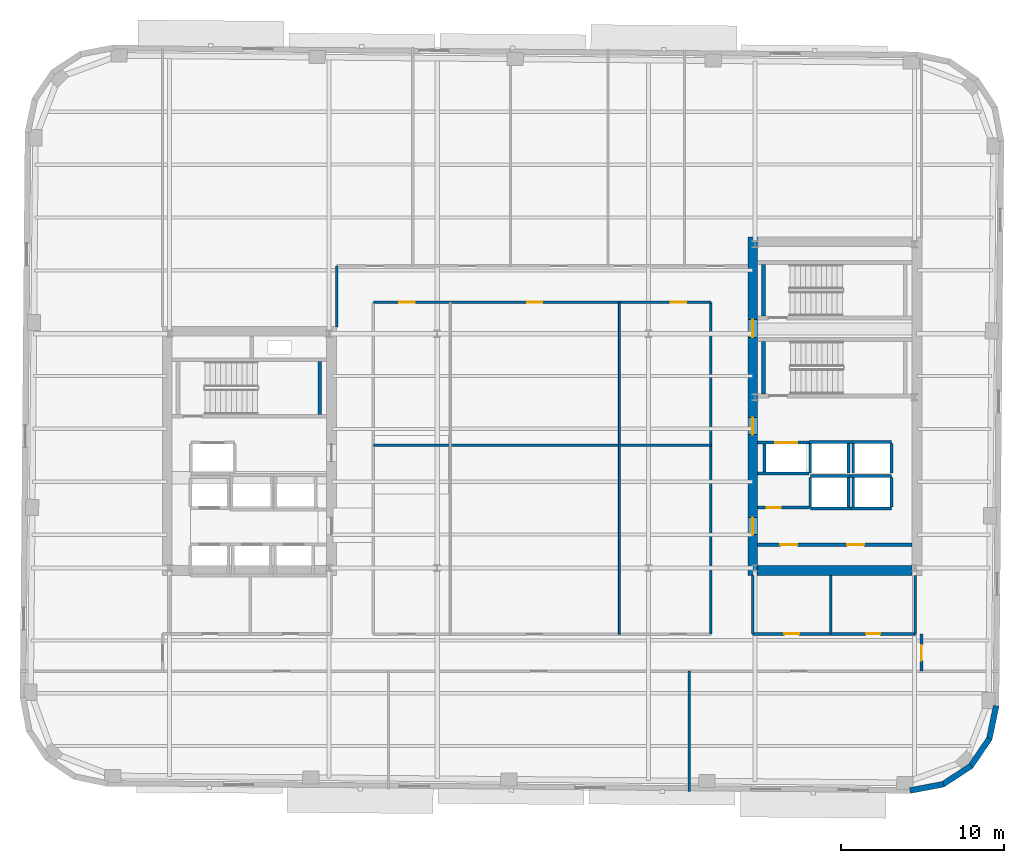
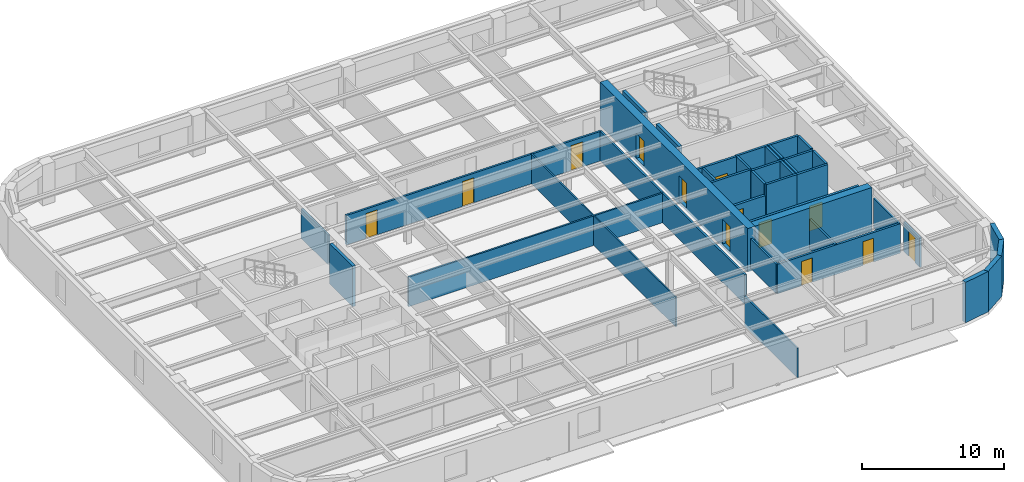
# One storey, part 5 of 11: 39 walls, 13 doors, 13 openings.
"""IFC4 building model written with IfcOpenShell, lengths in metres."""

from ifc_helpers import new_model, si_unit, direction, frame, frame_2d, origin, place, context, subcontext, project, spatial, rectangle, extrude, material, layer, layer_set, type_object, element, fill, save


model = new_model("IFC4")

# Units and contexts
model_context = context("Model", 3, precision=1e-05, world=origin(), true_north=direction((0.0, 1.0)))
body_context = subcontext(model_context, "Body", "Model", "MODEL_VIEW")
ifc_project = project(units=[si_unit("LENGTHUNIT", "METRE"), si_unit("AREAUNIT", "SQUARE_METRE"), si_unit("VOLUMEUNIT", "CUBIC_METRE"), si_unit("PLANEANGLEUNIT", "RADIAN"), si_unit("MASSUNIT", "GRAM", prefix="KILO")], contexts=[model_context])

# Site, building, storey
site_placement = place(None, origin())
site = spatial("IfcSite", under=ifc_project, at=site_placement, CompositionType="ELEMENT")
building_placement = place(site_placement, origin())
building = spatial("IfcBuilding", under=site, at=building_placement, Name="Kolvaren Arena Tower", CompositionType="ELEMENT")
storey_placement = place(building_placement, frame((0.0, 0.0, 169.699951171875)))
storey = spatial("IfcBuildingStorey", under=building, at=storey_placement, Name="L40", CompositionType="ELEMENT", Elevation=169.699951171875)

# Wall
ifc_material_1 = material(Name="Gypsum board acoustic assembly", Category="gypsum")
ifc_layer_1 = layer(ifc_material_1, 0.159912109375)
ifc_layer_set_1 = layer_set([ifc_layer_1], Name="Gypsum board acoustic assembly")
wall_type_1 = type_object("IfcWallType", Name="CORR-160", PredefinedType="PARTITIONING", material=ifc_layer_set_1)
wall_1_placement = place(storey_placement, frame((24.820068359375, 34.25, 0.0), z_axis=(0.0, 0.0, 1.0), x_axis=(0.0, 1.0, 0.0)))
element("IfcWall", 1, at=wall_1_placement, inside=storey, type_object=wall_type_1, Name="Interior Partition Wall (L40)", PredefinedType="PARTITIONING", context=body_context, shape_type="SweptSolid", body=[
    extrude(rectangle(XDim=3.77001953125, YDim=0.159912109375, at=frame_2d((1.885009765625, 0.0))), origin(), (0.0, 0.0, 1.0), 2.5400390625),
])

# Wall, openings, doors
wall_2_placement = place(storey_placement, frame((27.080078125, 35.780029296875, 0.0), z_axis=(0.0, 0.0, 1.0), x_axis=(1.0, 0.0, 0.0)))
wall_2 = element("IfcWall", 2, at=wall_2_placement, inside=storey, type_object=wall_type_1, Name="Interior Partition Wall (L40)", PredefinedType="PARTITIONING", context=body_context, shape_type="SweptSolid", body=[
    extrude(rectangle(XDim=20.739990234375, YDim=0.159912109375, at=frame_2d((10.3701171875, 0.0))), origin(), (0.0, 0.0, 1.0), 2.5400390625),
])
opening_1_placement = place(wall_2_placement, frame((1.594970703125, 0.0, 0.0)))
opening_1 = element("IfcOpeningElement", 3, at=opening_1_placement, cuts=wall_2, Name="Opening D05", PredefinedType="OPENING", context=body_context, shape_type="SweptSolid", body=[
    extrude(rectangle(XDim=0.949951171875, YDim=2.14990234375, at=frame_2d((0.47509765625, 1.074951171875))), frame((0.0, 0.08984375, 0.0), z_axis=(0.0, -1.0, 0.0), x_axis=(1.0, 0.0, 0.0)), (0.0, 0.0, 1.0), 0.179931640625),
])
opening_2_placement = place(wall_2_placement, frame((9.445068359375, 0.0, 0.0)))
opening_2 = element("IfcOpeningElement", 4, at=opening_2_placement, cuts=wall_2, Name="Opening D05", PredefinedType="OPENING", context=body_context, shape_type="SweptSolid", body=[
    extrude(rectangle(XDim=0.949951171875, YDim=2.14990234375, at=frame_2d((0.47509765625, 1.074951171875))), frame((0.0, 0.08984375, 0.0), z_axis=(0.0, -1.0, 0.0), x_axis=(1.0, 0.0, 0.0)), (0.0, 0.0, 1.0), 0.179931640625),
])
opening_3_placement = place(wall_2_placement, frame((18.294921875, 0.0, 0.0)))
opening_3 = element("IfcOpeningElement", 5, at=opening_3_placement, cuts=wall_2, Name="Opening D05", PredefinedType="OPENING", context=body_context, shape_type="SweptSolid", body=[
    extrude(rectangle(XDim=0.949951171875, YDim=2.14990234375, at=frame_2d((0.47509765625, 1.074951171875))), frame((0.0, 0.08984375, 0.0), z_axis=(0.0, -1.0, 0.0), x_axis=(1.0, 0.0, 0.0)), (0.0, 0.0, 1.0), 0.179931640625),
])
ifc_material_2 = material(Name="Solid-core oak acoustic office door", Category="wood")
door_type_1 = type_object("IfcDoorType", Name="DOOR-OF-095", OperationType="NOTDEFINED", PredefinedType="DOOR", material=ifc_material_2)
door_1_placement = place(opening_1_placement, origin())
door_1 = element("IfcDoor", 6, at=door_1_placement, inside=storey, type_object=door_type_1, Name="Open Plan Office Door (L40)", OperationType="SINGLE_SWING_RIGHT", OverallHeight=2.14990234375, OverallWidth=0.949951171875, PredefinedType="DOOR", context=body_context, shape_type="SweptSolid", body=[
    extrude(rectangle(XDim=0.949951171875, YDim=2.14990234375, at=frame_2d((0.47509765625, 1.074951171875))), frame((0.0, 0.02490234375, 0.0), z_axis=(0.0, -1.0, 0.0), x_axis=(1.0, 0.0, 0.0)), (0.0, 0.0, 1.0), 0.050048828125),
])
fill(opening_1, door_1)
door_2_placement = place(opening_2_placement, origin())
door_2 = element("IfcDoor", 7, at=door_2_placement, inside=storey, type_object=door_type_1, Name="Boardroom Door (L40)", OperationType="SINGLE_SWING_RIGHT", OverallHeight=2.14990234375, OverallWidth=0.949951171875, PredefinedType="DOOR", context=body_context, shape_type="SweptSolid", body=[
    extrude(rectangle(XDim=0.949951171875, YDim=2.14990234375, at=frame_2d((0.47509765625, 1.074951171875))), frame((0.0, 0.02490234375, 0.0), z_axis=(0.0, -1.0, 0.0), x_axis=(1.0, 0.0, 0.0)), (0.0, 0.0, 1.0), 0.050048828125),
])
fill(opening_2, door_2)
door_3_placement = place(opening_3_placement, origin())
door_3 = element("IfcDoor", 8, at=door_3_placement, inside=storey, type_object=door_type_1, Name="Tenant Reception Area Door (L40)", OperationType="SINGLE_SWING_RIGHT", OverallHeight=2.14990234375, OverallWidth=0.949951171875, PredefinedType="DOOR", context=body_context, shape_type="SweptSolid", body=[
    extrude(rectangle(XDim=0.949951171875, YDim=2.14990234375, at=frame_2d((0.47509765625, 1.074951171875))), frame((0.0, 0.02490234375, 0.0), z_axis=(0.0, -1.0, 0.0), x_axis=(1.0, 0.0, 0.0)), (0.0, 0.0, 1.0), 0.050048828125),
])
fill(opening_3, door_3)

# Wall
wall_3_placement = place(storey_placement, frame((47.820068359375, 15.3798828125, 0.0), z_axis=(0.0, 0.0, 1.0), x_axis=(0.0, 1.0, 0.0)))
element("IfcWall", 9, at=wall_3_placement, inside=storey, type_object=wall_type_1, Name="Interior Partition Wall (L40)", PredefinedType="PARTITIONING", context=body_context, shape_type="SweptSolid", body=[
    extrude(rectangle(XDim=20.400146484375, YDim=0.159912109375, at=frame_2d((10.2001953125, 0.0))), origin(), (0.0, 0.0, 1.0), 2.5400390625),
])

# Wall, opening, door
wall_4_placement = place(storey_placement, frame((60.780029296875, 13.10009765625, 0.0), z_axis=(0.0, 0.0, 1.0), x_axis=(0.0, 1.0, 0.0)))
wall_4 = element("IfcWall", 10, at=wall_4_placement, inside=storey, type_object=wall_type_1, Name="Interior Partition Wall (L40)", PredefinedType="PARTITIONING", context=body_context, shape_type="SweptSolid", body=[
    extrude(rectangle(XDim=2.2998046875, YDim=0.159912109375, at=frame_2d((1.14990234375, 0.0))), origin(), (0.0, 0.0, 1.0), 2.5400390625),
])
opening_4_placement = place(wall_4_placement, frame((0.64990234375, 0.0, 0.0)))
opening_4 = element("IfcOpeningElement", 11, at=opening_4_placement, cuts=wall_4, Name="Opening D05", PredefinedType="OPENING", context=body_context, shape_type="SweptSolid", body=[
    extrude(rectangle(XDim=0.949951171875, YDim=2.14990234375, at=frame_2d((0.47509765625, 1.074951171875))), frame((0.0, 0.08984375, 0.0), z_axis=(0.0, -1.0, 0.0), x_axis=(1.0, 0.0, 0.0)), (0.0, 0.0, 1.0), 0.179931640625),
])
door_4_placement = place(opening_4_placement, origin())
door_4 = element("IfcDoor", 12, at=door_4_placement, inside=storey, type_object=door_type_1, Name="East Wing Studio Door (L40)", OperationType="SINGLE_SWING_RIGHT", OverallHeight=2.14990234375, OverallWidth=0.949951171875, PredefinedType="DOOR", context=body_context, shape_type="SweptSolid", body=[
    extrude(rectangle(XDim=0.949951171875, YDim=2.14990234375, at=frame_2d((0.47509765625, 1.074951171875))), frame((0.0, 0.02490234375, 0.0), z_axis=(0.0, -1.0, 0.0), x_axis=(1.0, 0.0, 0.0)), (0.0, 0.0, 1.0), 0.050048828125),
])
fill(opening_4, door_4)

# Wall, openings, doors
ifc_material_3 = material(Name="Concrete 60 MPa", Category="concrete")
ifc_layer_2 = layer(ifc_material_3, 0.60009765625)
ifc_layer_set_2 = layer_set([ifc_layer_2], Name="Concrete 60 MPa")
wall_type_2 = type_object("IfcWallType", Name="CWALL-600", PredefinedType="SHEAR", material=ifc_layer_set_2)
wall_5_placement = place(storey_placement, frame((50.39990234375, 19.0, -0.27001953125), z_axis=(0.0, 0.0, 1.0), x_axis=(0.0, 1.0, 0.0)))
wall_5 = element("IfcWall", 13, at=wall_5_placement, inside=storey, type_object=wall_type_2, Name="Core Shear Wall EC-WEST (L40)", PredefinedType="SHEAR", context=body_context, shape_type="SweptSolid", body=[
    extrude(rectangle(XDim=20.800048828125, YDim=0.60009765625, at=frame_2d((10.39990234375, 0.0))), origin(), (0.0, 0.0, 1.0), 3.75),
])
opening_5_placement = place(wall_5_placement, frame((2.5, 0.0, 0.27001953125)))
opening_5 = element("IfcOpeningElement", 14, at=opening_5_placement, cuts=wall_5, Name="Opening D04", PredefinedType="OPENING", context=body_context, shape_type="SweptSolid", body=[
    extrude(rectangle(XDim=1.050048828125, YDim=2.14990234375, at=frame_2d((0.52490234375, 1.074951171875))), frame((0.0, 0.31005859375, 0.0), z_axis=(0.0, -1.0, 0.0), x_axis=(1.0, 0.0, 0.0)), (0.0, 0.0, 1.0), 0.6201171875),
])
opening_6_placement = place(wall_5_placement, frame((8.64990234375, 0.0, 0.27001953125)))
opening_6 = element("IfcOpeningElement", 15, at=opening_6_placement, cuts=wall_5, Name="Opening D04", PredefinedType="OPENING", context=body_context, shape_type="SweptSolid", body=[
    extrude(rectangle(XDim=1.050048828125, YDim=2.14990234375, at=frame_2d((0.52490234375, 1.074951171875))), frame((0.0, 0.31005859375, 0.0), z_axis=(0.0, -1.0, 0.0), x_axis=(1.0, 0.0, 0.0)), (0.0, 0.0, 1.0), 0.6201171875),
])
opening_7_placement = place(wall_5_placement, frame((14.6201171875, 0.0, 0.27001953125)))
opening_7 = element("IfcOpeningElement", 16, at=opening_7_placement, cuts=wall_5, Name="Opening D03", PredefinedType="OPENING", context=body_context, shape_type="SweptSolid", body=[
    extrude(rectangle(XDim=1.10009765625, YDim=2.14990234375, at=frame_2d((0.550048828125, 1.074951171875))), frame((0.0, 0.31005859375, 0.0), z_axis=(0.0, -1.0, 0.0), x_axis=(1.0, 0.0, 0.0)), (0.0, 0.0, 1.0), 0.6201171875),
])
ifc_material_4 = material(Name="Fire-rated steel lobby door", Category="steel")
door_type_2 = type_object("IfcDoorType", Name="DOOR-FF-105", OperationType="NOTDEFINED", PredefinedType="DOOR", material=ifc_material_4)
door_5_placement = place(opening_5_placement, origin())
door_5 = element("IfcDoor", 17, at=door_5_placement, inside=storey, type_object=door_type_2, Name="East Lift Lobby Fire Door (L40)", OperationType="SINGLE_SWING_RIGHT", OverallHeight=2.14990234375, OverallWidth=1.050048828125, PredefinedType="DOOR", context=body_context, shape_type="SweptSolid", body=[
    extrude(rectangle(XDim=1.050048828125, YDim=2.14990234375, at=frame_2d((0.52490234375, 1.074951171875))), frame((0.0, 0.02490234375, 0.0), z_axis=(0.0, -1.0, 0.0), x_axis=(1.0, 0.0, 0.0)), (0.0, 0.0, 1.0), 0.050048828125),
])
fill(opening_5, door_5)
door_6_placement = place(opening_6_placement, origin())
door_6 = element("IfcDoor", 18, at=door_6_placement, inside=storey, type_object=door_type_2, Name="East Firefighter Vestibule Door (L40)", OperationType="SINGLE_SWING_LEFT", OverallHeight=2.14990234375, OverallWidth=1.050048828125, PredefinedType="DOOR", context=body_context, shape_type="SweptSolid", body=[
    extrude(rectangle(XDim=1.050048828125, YDim=2.14990234375, at=frame_2d((0.52490234375, 1.074951171875))), frame((0.0, 0.02490234375, 0.0), z_axis=(0.0, -1.0, 0.0), x_axis=(1.0, 0.0, 0.0)), (0.0, 0.0, 1.0), 0.050048828125),
])
fill(opening_6, door_6)
ifc_material_5 = material(Name="Fire-rated steel exit stair door", Category="steel")
door_type_3 = type_object("IfcDoorType", Name="DOOR-ST-110", OperationType="NOTDEFINED", PredefinedType="DOOR", material=ifc_material_5)
door_7_placement = place(opening_7_placement, origin())
door_7 = element("IfcDoor", 19, at=door_7_placement, inside=storey, type_object=door_type_3, Name="Stair ST-E2 Vestibule Fire Door (L40)", OperationType="SINGLE_SWING_LEFT", OverallHeight=2.14990234375, OverallWidth=1.10009765625, PredefinedType="DOOR", context=body_context, shape_type="SweptSolid", body=[
    extrude(rectangle(XDim=1.10009765625, YDim=2.14990234375, at=frame_2d((0.550048828125, 1.074951171875))), frame((0.0, 0.02490234375, 0.0), z_axis=(0.0, -1.0, 0.0), x_axis=(1.0, 0.0, 0.0)), (0.0, 0.0, 1.0), 0.050048828125),
])
fill(opening_7, door_7)

# Walls
wall_6_placement = place(storey_placement, frame((50.699951171875, 19.300048828125, -0.27001953125), z_axis=(0.0, 0.0, 1.0), x_axis=(1.0, 0.0, 0.0)))
element("IfcWall", 20, at=wall_6_placement, inside=storey, type_object=wall_type_2, Name="Core Shear Wall EC-SOUTH (L40)", PredefinedType="SHEAR", context=body_context, shape_type="SweptSolid", body=[
    extrude(rectangle(XDim=9.5, YDim=0.60009765625, at=frame_2d((4.75, 0.0))), origin(), (0.0, 0.0, 1.0), 3.75),
])
ifc_material_6 = material(Name="Precast concrete C50/60", Category="concrete")
ifc_layer_3 = layer(ifc_material_6, 0.360107421875)
ifc_layer_set_3 = layer_set([ifc_layer_3], Name="Precast concrete C50/60")
wall_type_3 = type_object("IfcWallType", Name="EXT-PIER2", PredefinedType="SOLIDWALL", material=ifc_layer_set_3)
wall_7_placement = place(storey_placement, frame((62.136474609375, 6.155029296875, 0.0), z_axis=(0.0, 0.0, 1.0), x_axis=(-0.98246713518, -0.186435855703, 0.0)))
element("IfcWall", 21, at=wall_7_placement, inside=storey, type_object=wall_type_3, Name="Exterior Precast Masonry-Frame Wall (L40)", PredefinedType="SOLIDWALL", context=body_context, shape_type="SweptSolid", body=[
    extrude(rectangle(XDim=2.10693359375, YDim=0.360107421875, at=frame_2d((1.053466796875, 0.0))), origin(), (0.0, 0.0, 1.0), 3.47998046875),
])
wall_8_placement = place(storey_placement, frame((63.83349609375, 7.2841796875, 0.0), z_axis=(0.0, 0.0, 1.0), x_axis=(-0.836303589916, -0.548266637224, 0.0)))
element("IfcWall", 22, at=wall_8_placement, inside=storey, type_object=wall_type_3, Name="Exterior Precast Masonry-Frame Wall (L40)", PredefinedType="SOLIDWALL", context=body_context, shape_type="SweptSolid", body=[
    extrude(rectangle(XDim=2.107177734375, YDim=0.360107421875, at=frame_2d((1.0537109375, 0.0))), origin(), (0.0, 0.0, 1.0), 3.47998046875),
])
for number, where, z_axis, x_axis, name in (
    (23, (64.968994140625, 8.9765625, 0.0), (0.0, 0.0, 1.0), (-0.56277581689, -0.826609569219, 0.0), "Exterior Precast Masonry-Frame Wall (L40)"),
    (24, (65.370849609375, 10.974609375, 0.0), (0.0, 0.0, 1.0), (-0.203709000552, -0.979031482177, 0.0), "Exterior Precast Masonry-Frame Wall (L40)"),
):
    element("IfcWall", number, at=place(storey_placement, frame(where, z_axis=z_axis, x_axis=x_axis)), inside=storey, type_object=wall_type_3, Name=name, PredefinedType="SOLIDWALL", context=body_context, shape_type="SweptSolid", body=[
        extrude(rectangle(XDim=2.10693359375, YDim=0.360107421875, at=frame_2d((1.053466796875, 0.0))), origin(), (0.0, 0.0, 1.0), 3.47998046875),
    ])

# Wall, openings, doors
ifc_material_7 = material(Name="Concrete 40 MPa", Category="concrete")
ifc_layer_4 = layer(ifc_material_7, 0.199951171875)
ifc_layer_set_4 = layer_set([ifc_layer_4], Name="Concrete 40 MPa")
wall_type_4 = type_object("IfcWallType", Name="LOBBY-200", PredefinedType="SOLIDWALL", material=ifc_layer_set_4)
wall_9_placement = place(storey_placement, frame((50.699951171875, 20.8798828125, 0.0), z_axis=(0.0, 0.0, 1.0), x_axis=(1.0, 0.0, 0.0)))
wall_9 = element("IfcWall", 25, at=wall_9_placement, inside=storey, type_object=wall_type_4, Name="Core Shaft Wall (L40)", PredefinedType="SOLIDWALL", context=body_context, shape_type="SweptSolid", body=[
    extrude(rectangle(XDim=9.5, YDim=0.199951171875, at=frame_2d((4.75, 0.0))), origin(), (0.0, 0.0, 1.0), 2.5400390625),
])
opening_8_placement = place(wall_9_placement, frame((1.39990234375, 0.0, 0.0)))
opening_8 = element("IfcOpeningElement", 26, at=opening_8_placement, cuts=wall_9, Name="Opening D04", PredefinedType="OPENING", context=body_context, shape_type="SweptSolid", body=[
    extrude(rectangle(XDim=1.050048828125, YDim=2.14990234375, at=frame_2d((0.52490234375, 1.074951171875))), frame((0.0, 0.10986328125, 0.0), z_axis=(0.0, -1.0, 0.0), x_axis=(1.0, 0.0, 0.0)), (0.0, 0.0, 1.0), 0.219970703125),
])
opening_9_placement = place(wall_9_placement, frame((5.5, 0.0, 0.0)))
opening_9 = element("IfcOpeningElement", 27, at=opening_9_placement, cuts=wall_9, Name="Opening D04", PredefinedType="OPENING", context=body_context, shape_type="SweptSolid", body=[
    extrude(rectangle(XDim=1.050048828125, YDim=2.14990234375, at=frame_2d((0.52490234375, 1.074951171875))), frame((0.0, 0.10986328125, 0.0), z_axis=(0.0, -1.0, 0.0), x_axis=(1.0, 0.0, 0.0)), (0.0, 0.0, 1.0), 0.219970703125),
])
door_8_placement = place(opening_8_placement, origin())
door_8 = element("IfcDoor", 28, at=door_8_placement, inside=storey, type_object=door_type_2, Name="East Telecom Room Fire Door (L40)", OperationType="SINGLE_SWING_RIGHT", OverallHeight=2.14990234375, OverallWidth=1.050048828125, PredefinedType="DOOR", context=body_context, shape_type="SweptSolid", body=[
    extrude(rectangle(XDim=1.050048828125, YDim=2.14990234375, at=frame_2d((0.52490234375, 1.074951171875))), frame((0.0, 0.02490234375, 0.0), z_axis=(0.0, -1.0, 0.0), x_axis=(1.0, 0.0, 0.0)), (0.0, 0.0, 1.0), 0.050048828125),
])
fill(opening_8, door_8)
door_9_placement = place(opening_9_placement, origin())
door_9 = element("IfcDoor", 29, at=door_9_placement, inside=storey, type_object=door_type_2, Name="East Records Room Fire Door (L40)", OperationType="SINGLE_SWING_LEFT", OverallHeight=2.14990234375, OverallWidth=1.050048828125, PredefinedType="DOOR", context=body_context, shape_type="SweptSolid", body=[
    extrude(rectangle(XDim=1.050048828125, YDim=2.14990234375, at=frame_2d((0.52490234375, 1.074951171875))), frame((0.0, 0.02490234375, 0.0), z_axis=(0.0, -1.0, 0.0), x_axis=(1.0, 0.0, 0.0)), (0.0, 0.0, 1.0), 0.050048828125),
])
fill(opening_9, door_9)

# Wall, opening, door
wall_10_placement = place(storey_placement, frame((50.699951171875, 23.159912109375, 0.0), z_axis=(0.0, 0.0, 1.0), x_axis=(1.0, 0.0, 0.0)))
wall_10 = element("IfcWall", 30, at=wall_10_placement, inside=storey, type_object=wall_type_4, Name="Core Shaft Wall (L40)", PredefinedType="SOLIDWALL", context=body_context, shape_type="SweptSolid", body=[
    extrude(rectangle(XDim=3.179931640625, YDim=0.199951171875, at=frame_2d((1.58984375, 0.0))), origin(), (0.0, 0.0, 1.0), 2.5400390625),
])
opening_10_placement = place(wall_10_placement, frame((0.550048828125, 0.0, 0.0)))
opening_10 = element("IfcOpeningElement", 31, at=opening_10_placement, cuts=wall_10, Name="Opening D09", PredefinedType="OPENING", context=body_context, shape_type="SweptSolid", body=[
    extrude(rectangle(XDim=0.860107421875, YDim=2.050048828125, at=frame_2d((0.43017578125, 1.02490234375))), frame((0.0, 0.10986328125, 0.0), z_axis=(0.0, -1.0, 0.0), x_axis=(1.0, 0.0, 0.0)), (0.0, 0.0, 1.0), 0.219970703125),
])
ifc_material_8 = material(Name="Fire-rated steel riser access door", Category="steel")
door_type_4 = type_object("IfcDoorType", Name="DOOR-RS-086", OperationType="NOTDEFINED", PredefinedType="DOOR", material=ifc_material_8)
door_10_placement = place(opening_10_placement, origin())
door_10 = element("IfcDoor", 32, at=door_10_placement, inside=storey, type_object=door_type_4, Name="East AV Riser Closet Door (L40)", OperationType="SINGLE_SWING_LEFT", OverallHeight=2.050048828125, OverallWidth=0.860107421875, PredefinedType="DOOR", context=body_context, shape_type="SweptSolid", body=[
    extrude(rectangle(XDim=0.860107421875, YDim=2.050048828125, at=frame_2d((0.43017578125, 1.02490234375))), frame((0.0, 0.02490234375, 0.0), z_axis=(0.0, -1.0, 0.0), x_axis=(1.0, 0.0, 0.0)), (0.0, 0.0, 1.0), 0.050048828125),
])
fill(opening_10, door_10)

# Walls
ifc_material_9 = material(Name="Gypsum board partition assembly", Category="gypsum")
ifc_layer_5 = layer(ifc_material_9, 0.114990234375)
ifc_layer_set_5 = layer_set([ifc_layer_5], Name="Gypsum board partition assembly")
wall_type_5 = type_object("IfcWallType", Name="PART-115", PredefinedType="PARTITIONING", material=ifc_layer_set_5)
wall_11_placement = place(storey_placement, frame((42.199951171875, 15.3798828125, 0.0), z_axis=(0.0, 0.0, 1.0), x_axis=(0.0, 1.0, 0.0)))
element("IfcWall", 33, at=wall_11_placement, inside=storey, type_object=wall_type_5, Name="Interior Partition Wall (L40)", PredefinedType="PARTITIONING", context=body_context, shape_type="SweptSolid", body=[
    extrude(rectangle(XDim=20.400146484375, YDim=0.114990234375, at=frame_2d((10.2001953125, 0.0))), origin(), (0.0, 0.0, 1.0), 2.5400390625),
])
ifc_layer_6 = layer(ifc_material_9, 0.135009765625)
ifc_layer_set_6 = layer_set([ifc_layer_6], Name="Gypsum board partition assembly")
wall_type_6 = type_object("IfcWallType", Name="PART-135", PredefinedType="PARTITIONING", material=ifc_layer_set_6)
wall_12_placement = place(storey_placement, frame((46.5, 5.7041015625, 0.0), z_axis=(0.0, 0.0, 1.0), x_axis=(0.0, 1.0, 0.0)))
element("IfcWall", 34, at=wall_12_placement, inside=storey, type_object=wall_type_6, Name="Interior Partition Wall (L40)", PredefinedType="PARTITIONING", context=body_context, shape_type="SweptSolid", body=[
    extrude(rectangle(XDim=7.39599609375, YDim=0.135009765625, at=frame_2d((3.697998046875, 0.0))), origin(), (0.0, 0.0, 1.0), 2.5400390625),
])
wall_13_placement = place(storey_placement, frame((27.080078125, 27.0, 0.0), z_axis=(0.0, 0.0, 1.0), x_axis=(1.0, 0.0, 0.0)))
element("IfcWall", 35, at=wall_13_placement, inside=storey, type_object=wall_type_6, Name="Interior Partition Wall (L40)", PredefinedType="PARTITIONING", context=body_context, shape_type="SweptSolid", body=[
    extrude(rectangle(XDim=20.739990234375, YDim=0.135009765625, at=frame_2d((10.3701171875, 0.0))), origin(), (0.0, 0.0, 1.0), 2.5400390625),
])
ifc_material_10 = material(Name="Concrete 45 MPa", Category="concrete")
ifc_layer_7 = layer(ifc_material_10, 0.25)
ifc_layer_set_7 = layer_set([ifc_layer_7], Name="Concrete 45 MPa")
wall_type_7 = type_object("IfcWallType", Name="SHAFT-250", PredefinedType="SOLIDWALL", material=ifc_layer_set_7)
for number, where, z_axis, x_axis, name in (
    (36, (23.780029296875, 28.89990234375, 0.0), (0.0, 0.0, 1.0), (0.0, 1.0, 0.0), "Core Shaft Wall (L40)"),
    (37, (51.06005859375, 30.14990234375, 0.0), (0.0, 0.0, 1.0), (0.0, 1.0, 0.0), "Core Shaft Wall (L40)"),
):
    element("IfcWall", number, at=place(storey_placement, frame(where, z_axis=z_axis, x_axis=x_axis)), inside=storey, type_object=wall_type_7, Name=name, PredefinedType="SOLIDWALL", context=body_context, shape_type="SweptSolid", body=[
        extrude(rectangle(XDim=3.22998046875, YDim=0.239990234375, at=frame_2d((1.614990234375, 0.0))), origin(), (0.0, 0.0, 1.0), 3.47998046875),
    ])
wall_14_placement = place(storey_placement, frame((51.06005859375, 34.949951171875, 0.0), z_axis=(0.0, 0.0, 1.0), x_axis=(0.0, 1.0, 0.0)))
element("IfcWall", 38, at=wall_14_placement, inside=storey, type_object=wall_type_7, Name="Core Shaft Wall (L40)", PredefinedType="SOLIDWALL", context=body_context, shape_type="SweptSolid", body=[
    extrude(rectangle(XDim=3.150146484375, YDim=0.239990234375, at=frame_2d((1.5751953125, 0.0))), origin(), (0.0, 0.0, 1.0), 3.47998046875),
])
for number, where, z_axis, x_axis, name in (
    (39, (53.93994140625, 25.10498046875, 0.0), (0.0, 0.0, 1.0), (1.0, 0.0, 0.0), "Core Shaft Wall (L40)"),
    (40, (53.93994140625, 23.094970703125, 0.0), (0.0, 0.0, 1.0), (1.0, 0.0, 0.0), "Core Shaft Wall (L40)"),
):
    element("IfcWall", number, at=place(storey_placement, frame(where, z_axis=z_axis, x_axis=x_axis)), inside=storey, type_object=wall_type_7, Name=name, PredefinedType="SOLIDWALL", context=body_context, shape_type="SweptSolid", body=[
        extrude(rectangle(XDim=2.5, YDim=0.179931640625, at=frame_2d((1.25, 0.0))), origin(), (0.0, 0.0, 1.0), 3.47998046875),
    ])
for number, where, z_axis, x_axis, name in (
    (41, (53.93994140625, 23.18505859375, 0.0), (0.0, 0.0, 1.0), (0.0, 1.0, 0.0), "Core Shaft Wall (L40)"),
    (42, (56.300048828125, 23.18505859375, 0.0), (0.0, 0.0, 1.0), (0.0, 1.0, 0.0), "Core Shaft Wall (L40)"),
):
    element("IfcWall", number, at=place(storey_placement, frame(where, z_axis=z_axis, x_axis=x_axis)), inside=storey, type_object=wall_type_7, Name=name, PredefinedType="SOLIDWALL", context=body_context, shape_type="SweptSolid", body=[
        extrude(rectangle(XDim=1.829833984375, YDim=0.179931640625, at=frame_2d((0.9150390625, 0.0))), origin(), (0.0, 0.0, 1.0), 3.47998046875),
    ])
for number, where, z_axis, x_axis, name in (
    (43, (56.43994140625, 25.10498046875, 0.0), (0.0, 0.0, 1.0), (1.0, 0.0, 0.0), "Core Shaft Wall (L40)"),
    (44, (56.43994140625, 23.094970703125, 0.0), (0.0, 0.0, 1.0), (1.0, 0.0, 0.0), "Core Shaft Wall (L40)"),
):
    element("IfcWall", number, at=place(storey_placement, frame(where, z_axis=z_axis, x_axis=x_axis)), inside=storey, type_object=wall_type_7, Name=name, PredefinedType="SOLIDWALL", context=body_context, shape_type="SweptSolid", body=[
        extrude(rectangle(XDim=2.5, YDim=0.179931640625, at=frame_2d((1.25, 0.0))), origin(), (0.0, 0.0, 1.0), 3.47998046875),
    ])
for number, where, z_axis, x_axis, name in (
    (45, (56.580078125, 23.18505859375, 0.0), (0.0, 0.0, 1.0), (0.0, 1.0, 0.0), "Core Shaft Wall (L40)"),
    (46, (58.93994140625, 23.18505859375, 0.0), (0.0, 0.0, 1.0), (0.0, 1.0, 0.0), "Core Shaft Wall (L40)"),
):
    element("IfcWall", number, at=place(storey_placement, frame(where, z_axis=z_axis, x_axis=x_axis)), inside=storey, type_object=wall_type_7, Name=name, PredefinedType="SOLIDWALL", context=body_context, shape_type="SweptSolid", body=[
        extrude(rectangle(XDim=1.829833984375, YDim=0.179931640625, at=frame_2d((0.9150390625, 0.0))), origin(), (0.0, 0.0, 1.0), 3.47998046875),
    ])
wall_15_placement = place(storey_placement, frame((53.864990234375, 27.205078125, 0.0), z_axis=(0.0, 0.0, 1.0), x_axis=(1.0, 0.0, 0.0)))
element("IfcWall", 47, at=wall_15_placement, inside=storey, type_object=wall_type_7, Name="Core Shaft Wall (L40)", PredefinedType="SOLIDWALL", context=body_context, shape_type="SweptSolid", body=[
    extrude(rectangle(XDim=2.574951171875, YDim=0.179931640625, at=frame_2d((1.28759765625, 0.0))), origin(), (0.0, 0.0, 1.0), 3.47998046875),
])
for number, where, z_axis, x_axis, name in (
    (48, (53.93994140625, 25.284912109375, 0.0), (0.0, 0.0, 1.0), (0.0, 1.0, 0.0), "Core Shaft Wall (L40)"),
    (49, (56.300048828125, 25.284912109375, 0.0), (0.0, 0.0, 1.0), (0.0, 1.0, 0.0), "Core Shaft Wall (L40)"),
):
    element("IfcWall", number, at=place(storey_placement, frame(where, z_axis=z_axis, x_axis=x_axis)), inside=storey, type_object=wall_type_7, Name=name, PredefinedType="SOLIDWALL", context=body_context, shape_type="SweptSolid", body=[
        extrude(rectangle(XDim=1.830078125, YDim=0.179931640625, at=frame_2d((0.9150390625, 0.0))), origin(), (0.0, 0.0, 1.0), 3.47998046875),
    ])
wall_16_placement = place(storey_placement, frame((56.43994140625, 27.205078125, 0.0), z_axis=(0.0, 0.0, 1.0), x_axis=(1.0, 0.0, 0.0)))
element("IfcWall", 50, at=wall_16_placement, inside=storey, type_object=wall_type_7, Name="Core Shaft Wall (L40)", PredefinedType="SOLIDWALL", context=body_context, shape_type="SweptSolid", body=[
    extrude(rectangle(XDim=2.5, YDim=0.179931640625, at=frame_2d((1.25, 0.0))), origin(), (0.0, 0.0, 1.0), 3.47998046875),
])
for number, where, z_axis, x_axis, name in (
    (51, (56.580078125, 25.284912109375, 0.0), (0.0, 0.0, 1.0), (0.0, 1.0, 0.0), "Core Shaft Wall (L40)"),
    (52, (58.93994140625, 25.284912109375, 0.0), (0.0, 0.0, 1.0), (0.0, 1.0, 0.0), "Core Shaft Wall (L40)"),
):
    element("IfcWall", number, at=place(storey_placement, frame(where, z_axis=z_axis, x_axis=x_axis)), inside=storey, type_object=wall_type_7, Name=name, PredefinedType="SOLIDWALL", context=body_context, shape_type="SweptSolid", body=[
        extrude(rectangle(XDim=1.830078125, YDim=0.179931640625, at=frame_2d((0.9150390625, 0.0))), origin(), (0.0, 0.0, 1.0), 3.47998046875),
    ])

# Wall, opening, door
wall_17_placement = place(storey_placement, frame((50.699951171875, 27.155029296875, 0.0), z_axis=(0.0, 0.0, 1.0), x_axis=(1.0, 0.0, 0.0)))
wall_17 = element("IfcWall", 53, at=wall_17_placement, inside=storey, type_object=wall_type_7, Name="Core Shaft Wall (L40)", PredefinedType="SOLIDWALL", context=body_context, shape_type="SweptSolid", body=[
    extrude(rectangle(XDim=3.1650390625, YDim=0.179931640625, at=frame_2d((1.58251953125, 0.0))), origin(), (0.0, 0.0, 1.0), 3.47998046875),
])
opening_11_placement = place(wall_17_placement, frame((1.0849609375, 0.0, 0.0)))
opening_11 = element("IfcOpeningElement", 54, at=opening_11_placement, cuts=wall_17, Name="Opening LD2", PredefinedType="OPENING", context=body_context, shape_type="SweptSolid", body=[
    extrude(rectangle(XDim=1.35009765625, YDim=2.300048828125, at=frame_2d((0.675048828125, 1.14990234375))), frame((0.0, 0.099853515625, 0.0), z_axis=(0.0, -1.0, 0.0), x_axis=(1.0, 0.0, 0.0)), (0.0, 0.0, 1.0), 0.199951171875),
])
ifc_material_11 = material(Name="Stainless steel firefighter lift landing door", Category="steel")
door_type_5 = type_object("IfcDoorType", Name="DOOR-LD-135", OperationType="DOUBLE_DOOR_SLIDING", PredefinedType="DOOR", material=ifc_material_11)
door_11_placement = place(opening_11_placement, origin())
door_11 = element("IfcDoor", 55, at=door_11_placement, inside=storey, type_object=door_type_5, Name="Firefighter Lift FF-E1 Landing Door (L40)", OperationType="DOUBLE_DOOR_SLIDING", OverallHeight=2.300048828125, OverallWidth=1.35009765625, PredefinedType="DOOR", context=body_context, shape_type="SweptSolid", body=[
    extrude(rectangle(XDim=1.35009765625, YDim=2.300048828125, at=frame_2d((0.675048828125, 1.14990234375))), frame((0.0, 0.02490234375, 0.0), z_axis=(0.0, -1.0, 0.0), x_axis=(1.0, 0.0, 0.0)), (0.0, 0.0, 1.0), 0.050048828125),
])
fill(opening_11, door_11)

# Walls
wall_18_placement = place(storey_placement, frame((50.699951171875, 25.2451171875, 0.0), z_axis=(0.0, 0.0, 1.0), x_axis=(1.0, 0.0, 0.0)))
element("IfcWall", 56, at=wall_18_placement, inside=storey, type_object=wall_type_7, Name="Core Shaft Wall (L40)", PredefinedType="SOLIDWALL", context=body_context, shape_type="SweptSolid", body=[
    extrude(rectangle(XDim=3.1650390625, YDim=0.179931640625, at=frame_2d((1.58251953125, 0.0))), origin(), (0.0, 0.0, 1.0), 3.47998046875),
])
wall_19_placement = place(storey_placement, frame((51.1298828125, 25.3349609375, 0.0), z_axis=(0.0, 0.0, 1.0), x_axis=(0.0, 1.0, 0.0)))
element("IfcWall", 57, at=wall_19_placement, inside=storey, type_object=wall_type_7, Name="Core Shaft Wall (L40)", PredefinedType="SOLIDWALL", context=body_context, shape_type="SweptSolid", body=[
    extrude(rectangle(XDim=1.72998046875, YDim=0.179931640625, at=frame_2d((0.864990234375, 0.0))), origin(), (0.0, 0.0, 1.0), 3.47998046875),
])

# Wall, openings, doors
wall_20_placement = place(storey_placement, frame((50.39990234375, 15.39990234375, 0.0), z_axis=(0.0, 0.0, 1.0), x_axis=(1.0, 0.0, 0.0)))
wall_20 = element("IfcWall", 58, at=wall_20_placement, inside=storey, type_object=wall_type_7, Name="Interior Partition Wall (L40)", PredefinedType="SOLIDWALL", context=body_context, shape_type="SweptSolid", body=[
    extrude(rectangle(XDim=10.0, YDim=0.179931640625, at=frame_2d((5.0, 0.0))), origin(), (0.0, 0.0, 1.0), 2.5400390625),
])
opening_12_placement = place(wall_20_placement, frame((1.93994140625, 0.0, 0.0)))
opening_12 = element("IfcOpeningElement", 59, at=opening_12_placement, cuts=wall_20, Name="Opening D07", PredefinedType="OPENING", context=body_context, shape_type="SweptSolid", body=[
    extrude(rectangle(XDim=0.919921875, YDim=2.10009765625, at=frame_2d((0.4599609375, 1.050048828125))), frame((0.0, 0.099853515625, 0.0), z_axis=(0.0, -1.0, 0.0), x_axis=(1.0, 0.0, 0.0)), (0.0, 0.0, 1.0), 0.199951171875),
])
opening_13_placement = place(wall_20_placement, frame((6.969970703125, 0.0, 0.0)))
opening_13 = element("IfcOpeningElement", 60, at=opening_13_placement, cuts=wall_20, Name="Opening D09", PredefinedType="OPENING", context=body_context, shape_type="SweptSolid", body=[
    extrude(rectangle(XDim=0.860107421875, YDim=2.050048828125, at=frame_2d((0.43017578125, 1.02490234375))), frame((0.0, 0.099853515625, 0.0), z_axis=(0.0, -1.0, 0.0), x_axis=(1.0, 0.0, 0.0)), (0.0, 0.0, 1.0), 0.199951171875),
])
door_12_placement = place(opening_13_placement, origin())
door_12 = element("IfcDoor", 61, at=door_12_placement, inside=storey, type_object=door_type_4, Name="Electrical Riser Closet Door (L40)", OperationType="SINGLE_SWING_LEFT", OverallHeight=2.050048828125, OverallWidth=0.860107421875, PredefinedType="DOOR", context=body_context, shape_type="SweptSolid", body=[
    extrude(rectangle(XDim=0.860107421875, YDim=2.050048828125, at=frame_2d((0.43017578125, 1.02490234375))), frame((0.0, 0.02490234375, 0.0), z_axis=(0.0, -1.0, 0.0), x_axis=(1.0, 0.0, 0.0)), (0.0, 0.0, 1.0), 0.050048828125),
])
fill(opening_13, door_12)
ifc_material_12 = material(Name="Laminate universal washroom door", Category="wood")
door_type_6 = type_object("IfcDoorType", Name="DOOR-WC-092", OperationType="NOTDEFINED", PredefinedType="DOOR", material=ifc_material_12)
door_13_placement = place(opening_12_placement, origin())
door_13 = element("IfcDoor", 62, at=door_13_placement, inside=storey, type_object=door_type_6, Name="Cleaner and Janitor Store Door (L40)", OperationType="SINGLE_SWING_RIGHT", OverallHeight=2.10009765625, OverallWidth=0.919921875, PredefinedType="DOOR", context=body_context, shape_type="SweptSolid", body=[
    extrude(rectangle(XDim=0.919921875, YDim=2.10009765625, at=frame_2d((0.4599609375, 1.050048828125))), frame((0.0, 0.02490234375, 0.0), z_axis=(0.0, -1.0, 0.0), x_axis=(1.0, 0.0, 0.0)), (0.0, 0.0, 1.0), 0.050048828125),
])
fill(opening_12, door_13)

# Walls
ifc_material_13 = material(Name="Moisture-resistant gypsum assembly", Category="gypsum")
ifc_layer_8 = layer(ifc_material_13, 0.14990234375)
ifc_layer_set_8 = layer_set([ifc_layer_8], Name="Moisture-resistant gypsum assembly")
wall_type_8 = type_object("IfcWallType", Name="WETW-150", PredefinedType="PARTITIONING", material=ifc_layer_set_8)
for number, where, z_axis, x_axis, name in (
    (63, (55.199951171875, 15.39990234375, 0.0), (0.0, 0.0, 1.0), (0.0, 1.0, 0.0), "Interior Partition Wall (L40)"),
    (64, (50.39990234375, 15.39990234375, 0.0), (0.0, 0.0, 1.0), (0.0, 1.0, 0.0), "Interior Partition Wall (L40)"),
    (65, (60.39990234375, 15.39990234375, 0.0), (0.0, 0.0, 1.0), (0.0, 1.0, 0.0), "Interior Partition Wall (L40)"),
):
    element("IfcWall", number, at=place(storey_placement, frame(where, z_axis=z_axis, x_axis=x_axis)), inside=storey, type_object=wall_type_8, Name=name, PredefinedType="PARTITIONING", context=body_context, shape_type="SweptSolid", body=[
        extrude(rectangle(XDim=3.580078125, YDim=0.14990234375, at=frame_2d((1.7900390625, 0.0))), origin(), (0.0, 0.0, 1.0), 2.5400390625),
    ])

save(model, "model.ifc")
